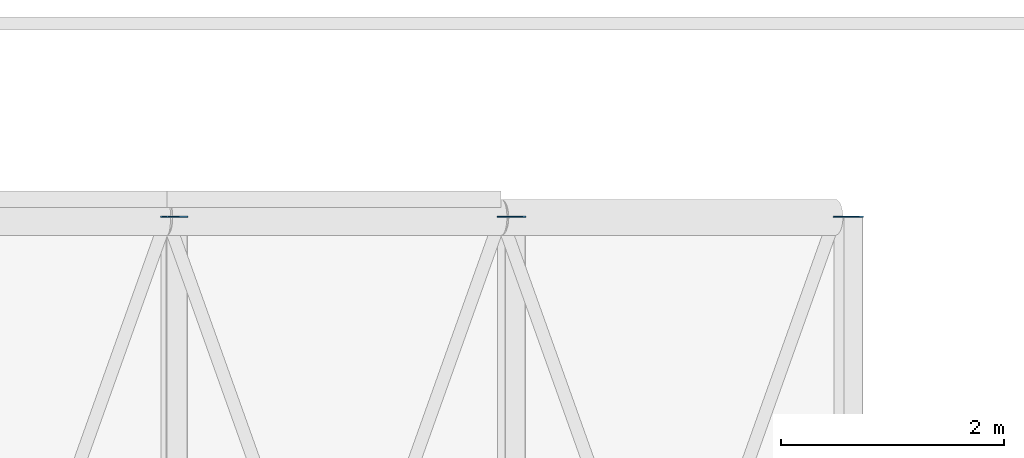
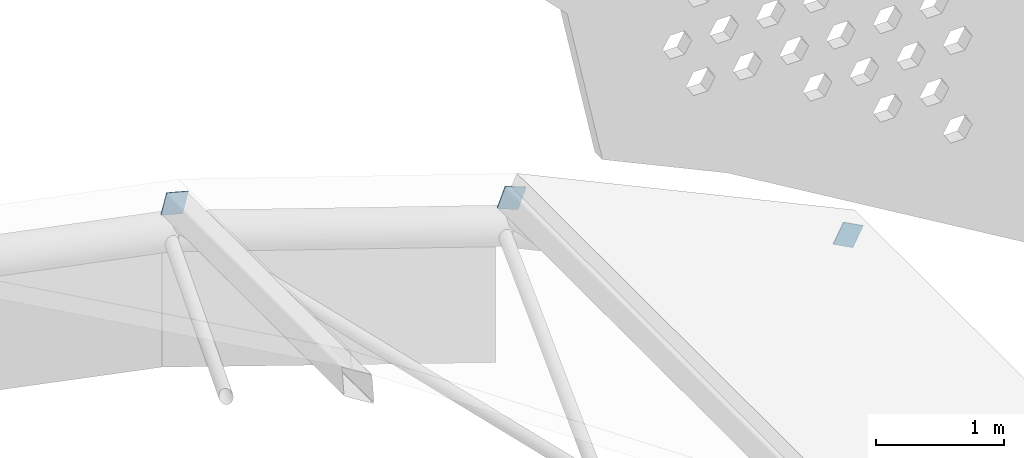
# One storey, part 42 of 54: 3 discrete accessories.
"""IFC4 building model written with IfcOpenShell, lengths in metres."""

from ifc_helpers import new_model, si_unit, direction, frame, origin, origin_2d, place, context, subcontext, project, spatial, rectangle, extrude, material, type_object, element, save


model = new_model("IFC4")

# Units and contexts
model_context = context("Model", 3, precision=1e-05, world=origin(), true_north=direction((0.0, 1.0)))
body_context = subcontext(model_context, "Body", "Model", "MODEL_VIEW")
ifc_project = project(units=[si_unit("LENGTHUNIT", "METRE"), si_unit("AREAUNIT", "SQUARE_METRE"), si_unit("VOLUMEUNIT", "CUBIC_METRE"), si_unit("PLANEANGLEUNIT", "RADIAN"), si_unit("MASSUNIT", "GRAM", prefix="KILO")], contexts=[model_context])

# Site, building, storey
site_placement = place(None, origin())
site = spatial("IfcSite", under=ifc_project, at=site_placement, CompositionType="ELEMENT")
building_placement = place(site_placement, origin())
building = spatial("IfcBuilding", under=site, at=building_placement, Name="Baradari Gate Terminus", CompositionType="ELEMENT")
storey_placement = place(building_placement, frame((0.0, 0.0, 15.89990234375)))
storey = spatial("IfcBuildingStorey", under=building, at=storey_placement, Name="L03", CompositionType="ELEMENT", Elevation=15.89990234375)

# Discrete accessories
ifc_material = material(Name="Steel S355", Category="steel")
discrete_accessory_type = type_object("IfcDiscreteAccessoryType", Name="Hollow section end plate EP-1 200x200x10", PredefinedType="ANCHORPLATE", material=ifc_material)
for number, where, z_axis, x_axis, name in (
    (1, (159.064208984375, 107.39990234375, 2.56396484375), (0.0, 1.0, 0.0), (-0.966499648767, 0.0, 0.256667935149), "End plate EP-1 at the end of TR/L03/VP3-PU08"),
    (2, (162.092529296875, 107.39990234375, 1.554443359375), (0.0, 1.0, 0.0), (-0.928965199535, 0.0, 0.370167067759), "End plate EP-1 at the end of TR/L03/VP3-PU09"),
    (3, (165.1171875, 107.39990234375, 0.14306640625), (0.0, 1.0, 0.0), (-0.883026855482, 0.0, 0.469322461106), "End plate EP-1 at the end of TR/L03/VP3-PU10"),
):
    element("IfcDiscreteAccessory", number, at=place(storey_placement, frame(where, z_axis=z_axis, x_axis=x_axis)), inside=storey, type_object=discrete_accessory_type, Name=name, PredefinedType="ANCHORPLATE", context=body_context, shape_type="SweptSolid", body=[
        extrude(rectangle(XDim=0.199951171875, YDim=0.199951171875, at=origin_2d()), origin(), (0.0, 0.0, 1.0), 0.010009765625),
    ])

save(model, "model.ifc")
